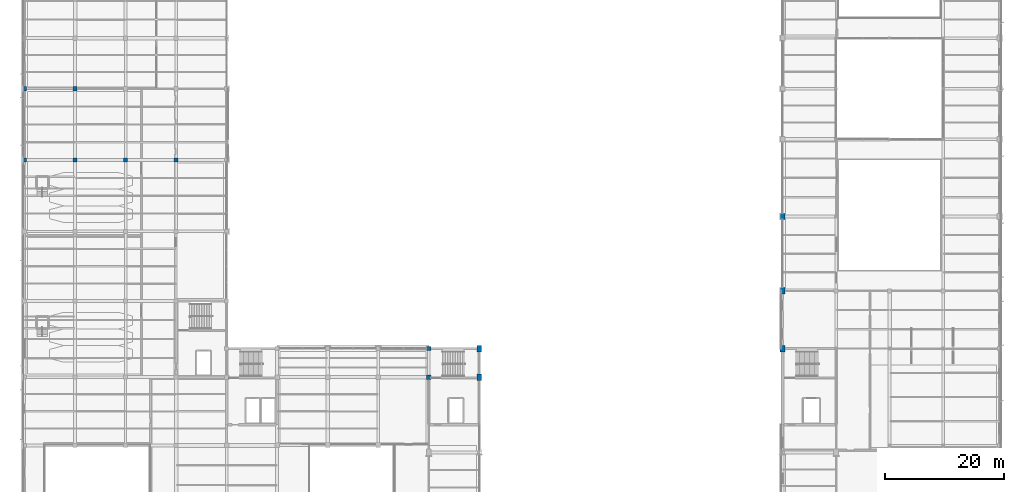
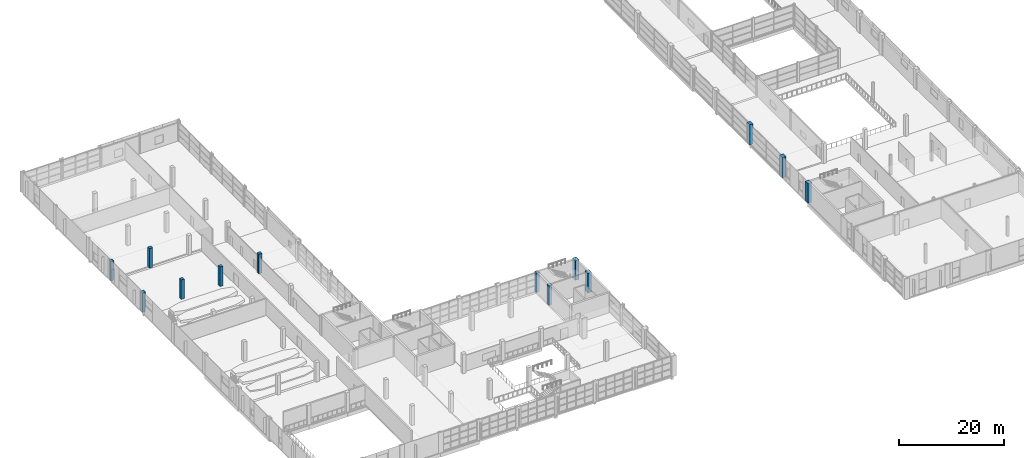
# One storey, part 3 of 112: 13 columns.
"""IFC4 building model written with IfcOpenShell, lengths in metres."""

from ifc_helpers import new_model, si_unit, direction, frame, origin, origin_2d, place, context, subcontext, project, spatial, rectangle, extrude, material, material_profile, profile_set, type_object, element, save


model = new_model("IFC4")

# Units and contexts
model_context = context("Model", 3, precision=1e-05, world=origin(), true_north=direction((0.0, 1.0)))
body_context = subcontext(model_context, "Body", "Model", "MODEL_VIEW")
ifc_project = project(units=[si_unit("LENGTHUNIT", "METRE"), si_unit("AREAUNIT", "SQUARE_METRE"), si_unit("VOLUMEUNIT", "CUBIC_METRE"), si_unit("PLANEANGLEUNIT", "RADIAN"), si_unit("MASSUNIT", "GRAM", prefix="KILO")], contexts=[model_context])

# Site, building, storey
site_placement = place(None, origin())
site = spatial("IfcSite", under=ifc_project, at=site_placement, CompositionType="ELEMENT")
building_placement = place(site_placement, origin())
building = spatial("IfcBuilding", under=site, at=building_placement, Name="Solvikara Media Centre", CompositionType="ELEMENT")
storey_placement = place(building_placement, frame((0.0, 0.0, 5.39990234375)))
storey = spatial("IfcBuildingStorey", under=building, at=storey_placement, Name="L01", CompositionType="ELEMENT", Elevation=5.39990234375)

# Columns
ifc_material = material(Name="Concrete fc' 45 MPa (C45/55)", Category="concrete")
ifc_material_profile_1 = material_profile(ifc_material, rectangle(XDim=0.699951171875, YDim=0.699951171875, at=origin_2d()), Name="RC 700x700")
ifc_profile_set_1 = profile_set([ifc_material_profile_1], Name="Concrete fc' 45 MPa (C45/55)")
column_type_1 = type_object("IfcColumnType", Name="CL-03", PredefinedType="COLUMN", material=ifc_profile_set_1)
column_1_placement = place(storey_placement, frame((8.5, 68.5, 0.0), z_axis=(0.0, 0.0, 1.0), x_axis=(1.0, 0.0, 0.0)))
element("IfcColumn", 1, at=column_1_placement, inside=storey, type_object=column_type_1, Name="C-L01-0085-0685", PredefinedType="COLUMN", context=body_context, shape_type="SweptSolid", body=[
    extrude(rectangle(XDim=0.699951171875, YDim=0.699951171875, at=origin_2d()), origin(), (0.0, 0.0, 1.0), 4.5400390625),
])
column_2_placement = place(storey_placement, frame((8.5, 80.5, 0.0), z_axis=(0.0, 0.0, 1.0), x_axis=(1.0, 0.0, 0.0)))
element("IfcColumn", 2, at=column_2_placement, inside=storey, type_object=column_type_1, Name="C-L01-0085-0805", PredefinedType="COLUMN", context=body_context, shape_type="SweptSolid", body=[
    extrude(rectangle(XDim=0.699951171875, YDim=0.699951171875, at=origin_2d()), origin(), (0.0, 0.0, 1.0), 4.530029296875),
])
for number, where, z_axis, x_axis, name in (
    (3, (17.0, 68.5, 0.0), (0.0, 0.0, 1.0), (1.0, 0.0, 0.0), "C-L01-0170-0685"),
    (4, (25.5, 68.5, 0.0), (0.0, 0.0, 1.0), (1.0, 0.0, 0.0), "C-L01-0255-0685"),
):
    element("IfcColumn", number, at=place(storey_placement, frame(where, z_axis=z_axis, x_axis=x_axis)), inside=storey, type_object=column_type_1, Name=name, PredefinedType="COLUMN", context=body_context, shape_type="SweptSolid", body=[
        extrude(rectangle(XDim=0.699951171875, YDim=0.699951171875, at=origin_2d()), origin(), (0.0, 0.0, 1.0), 4.5400390625),
    ])
ifc_material_profile_2 = material_profile(ifc_material, rectangle(XDim=0.75, YDim=0.75, at=origin_2d()), Name="RC 750x750")
ifc_profile_set_2 = profile_set([ifc_material_profile_2], Name="Concrete fc' 45 MPa (C45/55)")
column_type_2 = type_object("IfcColumnType", Name="CL-04", PredefinedType="COLUMN", material=ifc_profile_set_2)
column_3_placement = place(storey_placement, frame((68.0, 32.0, 0.0), z_axis=(0.0, 0.0, 1.0), x_axis=(1.0, 0.0, 0.0)))
element("IfcColumn", 5, at=column_3_placement, inside=storey, type_object=column_type_2, Name="C-L01-0680-0320", PredefinedType="COLUMN", context=body_context, shape_type="SweptSolid", body=[
    extrude(rectangle(XDim=0.75, YDim=0.75, at=origin_2d()), origin(), (0.0, 0.0, 1.0), 4.52001953125),
])
ifc_material_profile_3 = material_profile(ifc_material, rectangle(XDim=0.699951171875, YDim=0.699951171875, at=origin_2d()), Name="RC 700x700")
ifc_profile_set_3 = profile_set([ifc_material_profile_3], Name="Concrete fc' 45 MPa (C45/55)")
column_type_3 = type_object("IfcColumnType", Name="CL-15", PredefinedType="COLUMN", material=ifc_profile_set_3)
column_4_placement = place(storey_placement, frame((0.0, 68.5, 0.0), z_axis=(0.0, 0.0, 1.0), x_axis=(1.0, 0.0, 0.0)))
element("IfcColumn", 6, at=column_4_placement, inside=storey, type_object=column_type_3, Name="C-L01-0000-0685", PredefinedType="COLUMN", context=body_context, shape_type="SweptSolid", body=[
    extrude(rectangle(XDim=0.699951171875, YDim=0.699951171875, at=origin_2d()), origin(), (0.0, 0.0, 1.0), 4.5400390625),
])
column_5_placement = place(storey_placement, frame((0.0, 80.5, 0.0), z_axis=(0.0, 0.0, 1.0), x_axis=(1.0, 0.0, 0.0)))
element("IfcColumn", 7, at=column_5_placement, inside=storey, type_object=column_type_3, Name="C-L01-0000-0805", PredefinedType="COLUMN", context=body_context, shape_type="SweptSolid", body=[
    extrude(rectangle(XDim=0.699951171875, YDim=0.699951171875, at=origin_2d()), origin(), (0.0, 0.0, 1.0), 4.530029296875),
])
column_6_placement = place(storey_placement, frame((68.0, 36.800048828125, 0.0), z_axis=(0.0, 0.0, 1.0), x_axis=(1.0, 0.0, 0.0)))
element("IfcColumn", 8, at=column_6_placement, inside=storey, type_object=column_type_3, Name="C-L01-0680-0368", PredefinedType="COLUMN", context=body_context, shape_type="SweptSolid", body=[
    extrude(rectangle(XDim=0.699951171875, YDim=0.699951171875, at=origin_2d()), origin(), (0.0, 0.0, 1.0), 4.52001953125),
])
ifc_material_profile_4 = material_profile(ifc_material, rectangle(XDim=0.800048828125, YDim=1.0, at=origin_2d()), Name="RC 800x1000")
ifc_profile_set_4 = profile_set([ifc_material_profile_4], Name="Concrete fc' 45 MPa (C45/55)")
column_type_4 = type_object("IfcColumnType", Name="CL-16", PredefinedType="COLUMN", material=ifc_profile_set_4)
column_7_placement = place(storey_placement, frame((127.5, 59.0, 0.0), z_axis=(0.0, 0.0, 1.0), x_axis=(1.0, 0.0, 0.0)))
element("IfcColumn", 9, at=column_7_placement, inside=storey, type_object=column_type_4, Name="C-L01-1275-0590", PredefinedType="COLUMN", context=body_context, shape_type="SweptSolid", body=[
    extrude(rectangle(XDim=0.800048828125, YDim=1.0, at=origin_2d()), origin(), (0.0, 0.0, 1.0), 4.7001953125),
])
ifc_material_profile_5 = material_profile(ifc_material, rectangle(XDim=0.800048828125, YDim=1.10009765625, at=origin_2d()), Name="RC 800x1100")
ifc_profile_set_5 = profile_set([ifc_material_profile_5], Name="Concrete fc' 45 MPa (C45/55)")
column_type_5 = type_object("IfcColumnType", Name="CL-17", PredefinedType="COLUMN", material=ifc_profile_set_5)
for number, where, z_axis, x_axis, name in (
    (10, (76.5, 32.0, 0.0), (0.0, 0.0, 1.0), (1.0, 0.0, 0.0), "C-L01-0765-0320"),
    (11, (76.5, 36.800048828125, 0.0), (0.0, 0.0, 1.0), (1.0, 0.0, 0.0), "C-L01-0765-0368"),
):
    element("IfcColumn", number, at=place(storey_placement, frame(where, z_axis=z_axis, x_axis=x_axis)), inside=storey, type_object=column_type_5, Name=name, PredefinedType="COLUMN", context=body_context, shape_type="SweptSolid", body=[
        extrude(rectangle(XDim=0.800048828125, YDim=1.10009765625, at=origin_2d()), origin(), (0.0, 0.0, 1.0), 4.52001953125),
    ])
column_8_placement = place(storey_placement, frame((127.5, 36.800048828125, 0.0), z_axis=(0.0, 0.0, 1.0), x_axis=(1.0, 0.0, 0.0)))
element("IfcColumn", 12, at=column_8_placement, inside=storey, type_object=column_type_5, Name="C-L01-1275-0368", PredefinedType="COLUMN", context=body_context, shape_type="SweptSolid", body=[
    extrude(rectangle(XDim=0.800048828125, YDim=1.10009765625, at=origin_2d()), origin(), (0.0, 0.0, 1.0), 4.5400390625),
])
column_9_placement = place(storey_placement, frame((127.5, 46.5, 0.0), z_axis=(0.0, 0.0, 1.0), x_axis=(1.0, 0.0, 0.0)))
element("IfcColumn", 13, at=column_9_placement, inside=storey, type_object=column_type_5, Name="C-L01-1275-0465", PredefinedType="COLUMN", context=body_context, shape_type="SweptSolid", body=[
    extrude(rectangle(XDim=0.800048828125, YDim=1.10009765625, at=origin_2d()), origin(), (0.0, 0.0, 1.0), 4.7001953125),
])

save(model, "model.ifc")
